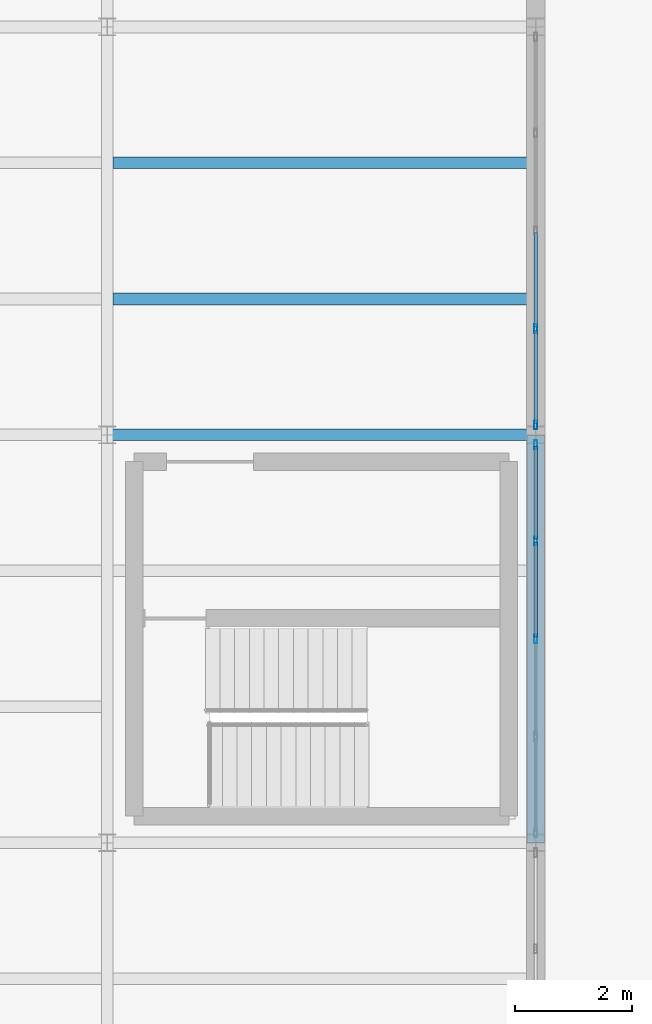
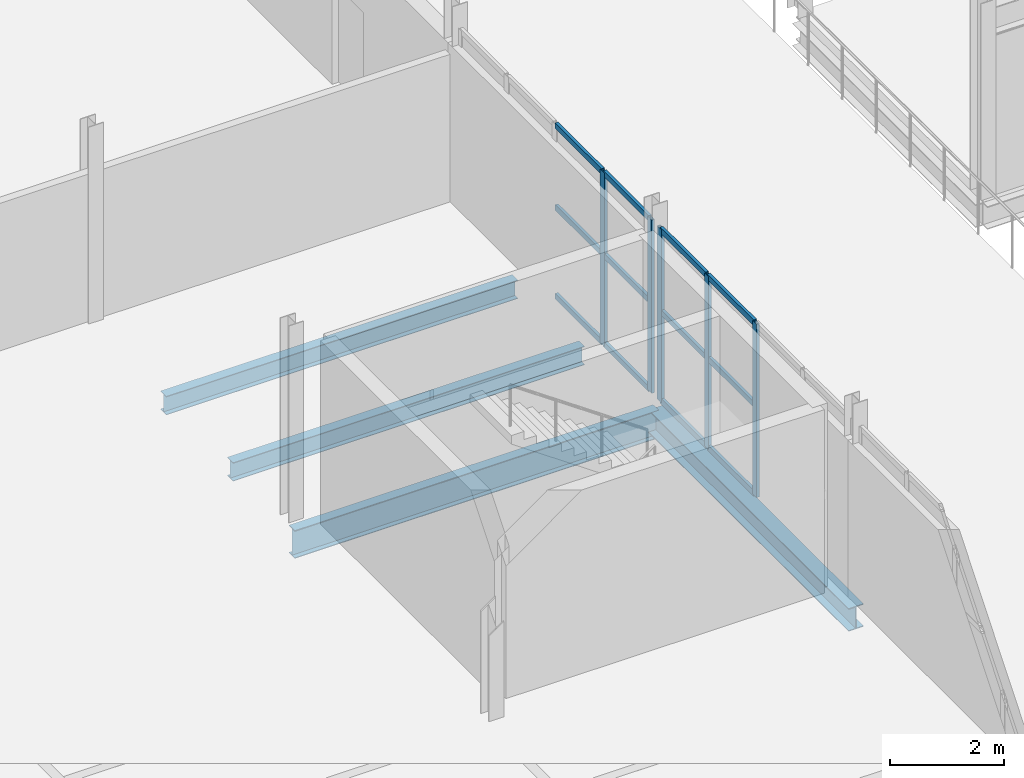
# One storey, part 17 of 39: 17 members, 4 beams, 2 elements without a shape of their own.
"""IFC4 building model written with IfcOpenShell, lengths in metres."""

from ifc_helpers import new_model, si_unit, direction, frame, origin, origin_2d, place, context, subcontext, project, spatial, hollow_rectangle, i_section, extrude, material, material_profile, profile_set, type_object, element, aggregate, save


model = new_model("IFC4")

# Units and contexts
model_context = context("Model", 3, precision=1e-05, world=origin(), true_north=direction((0.0, 1.0)))
body_context = subcontext(model_context, "Body", "Model", "MODEL_VIEW")
ifc_project = project(units=[si_unit("LENGTHUNIT", "METRE"), si_unit("AREAUNIT", "SQUARE_METRE"), si_unit("VOLUMEUNIT", "CUBIC_METRE"), si_unit("PLANEANGLEUNIT", "RADIAN"), si_unit("MASSUNIT", "GRAM", prefix="KILO")], contexts=[model_context])

# Site, building, storey
site_placement = place(None, origin())
site = spatial("IfcSite", under=ifc_project, at=site_placement, CompositionType="ELEMENT")
building_placement = place(site_placement, origin())
building = spatial("IfcBuilding", under=site, at=building_placement, Name="Kazenagashi Tramway Depot", CompositionType="ELEMENT")
storey_placement = place(building_placement, frame((0.0, 0.0, 11.1)))
storey = spatial("IfcBuildingStorey", under=building, at=storey_placement, Name="L03", CompositionType="ELEMENT", Elevation=11.1)

# Beams
ifc_material_1 = material(Name="Steel SN490B", Category="steel")
ifc_material_profile_1 = material_profile(ifc_material_1, i_section(OverallWidth=0.199, OverallDepth=0.596, WebThickness=0.01, FlangeThickness=0.015, at=origin_2d()), Name="H-596x199x10x15")
ifc_profile_set_1 = profile_set([ifc_material_profile_1], Name="Steel SN490B")
beam_type_1 = type_object("IfcBeamType", Name="G-09", PredefinedType="BEAM", material=ifc_profile_set_1)
beam_1_placement = place(storey_placement, frame((29.4, 14.0, -0.548), z_axis=(1.0, 0.0, 0.0), x_axis=(0.0, 1.0, 0.0)))
element("IfcBeam", 1, at=beam_1_placement, inside=storey, type_object=beam_type_1, Name="Beam G-09 BM-0232", PredefinedType="BEAM", context=body_context, shape_type="SweptSolid", body=[
    extrude(i_section(OverallWidth=0.199, OverallDepth=0.596, WebThickness=0.01, FlangeThickness=0.015, at=origin_2d()), origin(), (0.0, 0.0, 1.0), 7.35),
])
ifc_material_profile_2 = material_profile(ifc_material_1, i_section(OverallWidth=0.199, OverallDepth=0.396, WebThickness=0.007, FlangeThickness=0.011, at=origin_2d()), Name="H-396x199x7x11")
ifc_profile_set_2 = profile_set([ifc_material_profile_2], Name="Steel SN490B")
beam_type_2 = type_object("IfcBeamType", Name="J-05", PredefinedType="JOIST", material=ifc_profile_set_2)
for number, where, z_axis, x_axis, name in (
    (2, (29.499, 16.333, -0.448), (1.0, 0.0, 0.0), (0.0, 1.0, 0.0), "Beam J-05 BM-0379"),
    (3, (29.499, 18.667, -0.448), (1.0, 0.0, 0.0), (0.0, 1.0, 0.0), "Beam J-05 BM-0380"),
):
    element("IfcBeam", number, at=place(storey_placement, frame(where, z_axis=z_axis, x_axis=x_axis)), inside=storey, type_object=beam_type_2, Name=name, PredefinedType="JOIST", context=body_context, shape_type="SweptSolid", body=[
        extrude(i_section(OverallWidth=0.199, OverallDepth=0.396, WebThickness=0.007, FlangeThickness=0.011, at=origin_2d()), origin(), (0.0, 0.0, 1.0), 7.101),
    ])

# Curtain wall, members
ifc_material_2 = material(Name="Anodised Aluminium and Low-E Glazing", Category="aluminium")
curtain_wall_type = type_object("IfcCurtainWallType", Name="CW-26", PredefinedType="USERDEFINED", material=ifc_material_2)
curtain_wall_1_placement = place(storey_placement, origin())
curtain_wall_1 = element("IfcCurtainWall", 4, at=curtain_wall_1_placement, inside=storey, type_object=curtain_wall_type, Name="Industrial Glazed Screen CW-26 CW-0145", ObjectType="GLAZED SCREEN", PredefinedType="USERDEFINED")
ifc_material_3 = material(Name="Anodised Aluminium", Category="aluminium")
ifc_material_profile_3 = material_profile(ifc_material_3, hollow_rectangle(XDim=0.06, YDim=0.15, WallThickness=0.004, at=origin_2d()), Name="RHS-150x60x4")
ifc_profile_set_3 = profile_set([ifc_material_profile_3], Name="Anodised Aluminium")
member_type_1 = type_object("IfcMemberType", Name="ML-01", PredefinedType="MULLION", material=ifc_profile_set_3)
member_1_placement = place(storey_placement, frame((36.75, 10.5, 0.0), z_axis=(0.0, 0.0, 1.0), x_axis=(-1.0, 0.0, 0.0)))
member_1 = element("IfcMember", 5, at=member_1_placement, type_object=member_type_1, Name="CW-26 mullion 3", PredefinedType="MULLION", context=body_context, shape_type="SweptSolid", body=[
    extrude(hollow_rectangle(XDim=0.06, YDim=0.15, WallThickness=0.004, at=origin_2d()), origin(), (0.0, 0.0, 1.0), 3.7),
])
member_2_placement = place(storey_placement, frame((36.75, 12.18, 0.0), z_axis=(0.0, 0.0, 1.0), x_axis=(-1.0, 0.0, 0.0)))
member_2 = element("IfcMember", 6, at=member_2_placement, type_object=member_type_1, Name="CW-26 mullion 4", PredefinedType="MULLION", context=body_context, shape_type="SweptSolid", body=[
    extrude(hollow_rectangle(XDim=0.06, YDim=0.15, WallThickness=0.004, at=origin_2d()), origin(), (0.0, 0.0, 1.0), 3.7),
])
member_3_placement = place(storey_placement, frame((36.75, 13.83, 0.0), z_axis=(0.0, 0.0, 1.0), x_axis=(-1.0, 0.0, 0.0)))
member_3 = element("IfcMember", 7, at=member_3_placement, type_object=member_type_1, Name="CW-26 mullion 5", PredefinedType="MULLION", context=body_context, shape_type="SweptSolid", body=[
    extrude(hollow_rectangle(XDim=0.06, YDim=0.15, WallThickness=0.004, at=origin_2d()), origin(), (0.0, 0.0, 1.0), 3.7),
])

curtain_wall_2_placement = place(storey_placement, origin())
curtain_wall_2 = element("IfcCurtainWall", 8, at=curtain_wall_2_placement, inside=storey, type_object=curtain_wall_type, Name="Industrial Glazed Screen CW-26 CW-0146", ObjectType="GLAZED SCREEN", PredefinedType="USERDEFINED")
member_4_placement = place(storey_placement, frame((36.75, 14.17, 0.0), z_axis=(0.0, 0.0, 1.0), x_axis=(-1.0, 0.0, 0.0)))
member_4 = element("IfcMember", 9, at=member_4_placement, type_object=member_type_1, Name="CW-26 mullion 1", PredefinedType="MULLION", context=body_context, shape_type="SweptSolid", body=[
    extrude(hollow_rectangle(XDim=0.06, YDim=0.15, WallThickness=0.004, at=origin_2d()), origin(), (0.0, 0.0, 1.0), 3.7),
])
member_5_placement = place(storey_placement, frame((36.75, 15.82, 0.0), z_axis=(0.0, 0.0, 1.0), x_axis=(-1.0, 0.0, 0.0)))
member_5 = element("IfcMember", 10, at=member_5_placement, type_object=member_type_1, Name="CW-26 mullion 2", PredefinedType="MULLION", context=body_context, shape_type="SweptSolid", body=[
    extrude(hollow_rectangle(XDim=0.06, YDim=0.15, WallThickness=0.004, at=origin_2d()), origin(), (0.0, 0.0, 1.0), 3.7),
])

# Beam
ifc_material_profile_4 = material_profile(ifc_material_1, i_section(OverallWidth=0.3, OverallDepth=0.488, WebThickness=0.011, FlangeThickness=0.018, at=origin_2d()), Name="H-488x300x11x18")
ifc_profile_set_4 = profile_set([ifc_material_profile_4], Name="Steel SN490B")
beam_type_3 = type_object("IfcBeamType", Name="SP-02", PredefinedType="SPANDREL", material=ifc_profile_set_4)
beam_2_placement = place(storey_placement, frame((36.75, 7.0, -0.494), z_axis=(0.0, 1.0, 0.0), x_axis=(-1.0, 0.0, 0.0)))
element("IfcBeam", 11, at=beam_2_placement, inside=storey, type_object=beam_type_3, Name="Beam SP-02 BM-0400", PredefinedType="SPANDREL", context=body_context, shape_type="SweptSolid", body=[
    extrude(i_section(OverallWidth=0.3, OverallDepth=0.488, WebThickness=0.011, FlangeThickness=0.018, at=origin_2d()), origin(), (0.0, 0.0, 1.0), 7.0),
])

# Member
ifc_material_profile_5 = material_profile(ifc_material_3, hollow_rectangle(XDim=0.06, YDim=0.12, WallThickness=0.004, at=origin_2d()), Name="RHS-120x60x4")
ifc_profile_set_5 = profile_set([ifc_material_profile_5], Name="Anodised Aluminium")
member_type_2 = type_object("IfcMemberType", Name="TR-01", PredefinedType="USERDEFINED", material=ifc_profile_set_5)
member_6_placement = place(storey_placement, frame((36.75, 10.53, 0.03), z_axis=(0.0, 1.0, 0.0), x_axis=(-1.0, 0.0, 0.0)))
member_6 = element("IfcMember", 12, at=member_6_placement, type_object=member_type_2, Name="CW-26 transom 3.1", ObjectType="TRANSOM", PredefinedType="USERDEFINED", context=body_context, shape_type="SweptSolid", body=[
    extrude(hollow_rectangle(XDim=0.06, YDim=0.12, WallThickness=0.004, at=origin_2d()), origin(), (0.0, 0.0, 1.0), 1.62),
])

member_7_placement = place(storey_placement, frame((36.75, 10.53, 1.924), z_axis=(0.0, 1.0, 0.0), x_axis=(-1.0, 0.0, 0.0)))
member_7 = element("IfcMember", 13, at=member_7_placement, type_object=member_type_2, Name="CW-26 transom 3.2", ObjectType="TRANSOM", PredefinedType="USERDEFINED", context=body_context, shape_type="SweptSolid", body=[
    extrude(hollow_rectangle(XDim=0.06, YDim=0.12, WallThickness=0.004, at=origin_2d()), origin(), (0.0, 0.0, 1.0), 1.62),
])

member_8_placement = place(storey_placement, frame((36.75, 10.53, 3.67), z_axis=(0.0, 1.0, 0.0), x_axis=(-1.0, 0.0, 0.0)))
member_8 = element("IfcMember", 14, at=member_8_placement, type_object=member_type_2, Name="CW-26 transom 3.3", ObjectType="TRANSOM", PredefinedType="USERDEFINED", context=body_context, shape_type="SweptSolid", body=[
    extrude(hollow_rectangle(XDim=0.06, YDim=0.12, WallThickness=0.004, at=origin_2d()), origin(), (0.0, 0.0, 1.0), 1.62),
])

member_9_placement = place(storey_placement, frame((36.75, 12.21, 0.03), z_axis=(0.0, 1.0, 0.0), x_axis=(-1.0, 0.0, 0.0)))
member_9 = element("IfcMember", 15, at=member_9_placement, type_object=member_type_2, Name="CW-26 transom 4.1", ObjectType="TRANSOM", PredefinedType="USERDEFINED", context=body_context, shape_type="SweptSolid", body=[
    extrude(hollow_rectangle(XDim=0.06, YDim=0.12, WallThickness=0.004, at=origin_2d()), origin(), (0.0, 0.0, 1.0), 1.59),
])

member_10_placement = place(storey_placement, frame((36.75, 12.21, 1.924), z_axis=(0.0, 1.0, 0.0), x_axis=(-1.0, 0.0, 0.0)))
member_10 = element("IfcMember", 16, at=member_10_placement, type_object=member_type_2, Name="CW-26 transom 4.2", ObjectType="TRANSOM", PredefinedType="USERDEFINED", context=body_context, shape_type="SweptSolid", body=[
    extrude(hollow_rectangle(XDim=0.06, YDim=0.12, WallThickness=0.004, at=origin_2d()), origin(), (0.0, 0.0, 1.0), 1.59),
])

member_11_placement = place(storey_placement, frame((36.75, 12.21, 3.67), z_axis=(0.0, 1.0, 0.0), x_axis=(-1.0, 0.0, 0.0)))
member_11 = element("IfcMember", 17, at=member_11_placement, type_object=member_type_2, Name="CW-26 transom 4.3", ObjectType="TRANSOM", PredefinedType="USERDEFINED", context=body_context, shape_type="SweptSolid", body=[
    extrude(hollow_rectangle(XDim=0.06, YDim=0.12, WallThickness=0.004, at=origin_2d()), origin(), (0.0, 0.0, 1.0), 1.59),
])

aggregate(curtain_wall_1, [member_1, member_2, member_3, member_6, member_7, member_8, member_9, member_10, member_11])

member_12_placement = place(storey_placement, frame((36.75, 14.2, 0.03), z_axis=(0.0, 1.0, 0.0), x_axis=(-1.0, 0.0, 0.0)))
member_12 = element("IfcMember", 18, at=member_12_placement, type_object=member_type_2, Name="CW-26 transom 1.1", ObjectType="TRANSOM", PredefinedType="USERDEFINED", context=body_context, shape_type="SweptSolid", body=[
    extrude(hollow_rectangle(XDim=0.06, YDim=0.12, WallThickness=0.004, at=origin_2d()), origin(), (0.0, 0.0, 1.0), 1.59),
])

member_13_placement = place(storey_placement, frame((36.75, 14.2, 1.924), z_axis=(0.0, 1.0, 0.0), x_axis=(-1.0, 0.0, 0.0)))
member_13 = element("IfcMember", 19, at=member_13_placement, type_object=member_type_2, Name="CW-26 transom 1.2", ObjectType="TRANSOM", PredefinedType="USERDEFINED", context=body_context, shape_type="SweptSolid", body=[
    extrude(hollow_rectangle(XDim=0.06, YDim=0.12, WallThickness=0.004, at=origin_2d()), origin(), (0.0, 0.0, 1.0), 1.59),
])

member_14_placement = place(storey_placement, frame((36.75, 14.2, 3.67), z_axis=(0.0, 1.0, 0.0), x_axis=(-1.0, 0.0, 0.0)))
member_14 = element("IfcMember", 20, at=member_14_placement, type_object=member_type_2, Name="CW-26 transom 1.3", ObjectType="TRANSOM", PredefinedType="USERDEFINED", context=body_context, shape_type="SweptSolid", body=[
    extrude(hollow_rectangle(XDim=0.06, YDim=0.12, WallThickness=0.004, at=origin_2d()), origin(), (0.0, 0.0, 1.0), 1.59),
])

member_15_placement = place(storey_placement, frame((36.75, 15.85, 0.03), z_axis=(0.0, 1.0, 0.0), x_axis=(-1.0, 0.0, 0.0)))
member_15 = element("IfcMember", 21, at=member_15_placement, type_object=member_type_2, Name="CW-26 transom 2.1", ObjectType="TRANSOM", PredefinedType="USERDEFINED", context=body_context, shape_type="SweptSolid", body=[
    extrude(hollow_rectangle(XDim=0.06, YDim=0.12, WallThickness=0.004, at=origin_2d()), origin(), (0.0, 0.0, 1.0), 1.62),
])

member_16_placement = place(storey_placement, frame((36.75, 15.85, 1.924), z_axis=(0.0, 1.0, 0.0), x_axis=(-1.0, 0.0, 0.0)))
member_16 = element("IfcMember", 22, at=member_16_placement, type_object=member_type_2, Name="CW-26 transom 2.2", ObjectType="TRANSOM", PredefinedType="USERDEFINED", context=body_context, shape_type="SweptSolid", body=[
    extrude(hollow_rectangle(XDim=0.06, YDim=0.12, WallThickness=0.004, at=origin_2d()), origin(), (0.0, 0.0, 1.0), 1.62),
])

member_17_placement = place(storey_placement, frame((36.75, 15.85, 3.67), z_axis=(0.0, 1.0, 0.0), x_axis=(-1.0, 0.0, 0.0)))
member_17 = element("IfcMember", 23, at=member_17_placement, type_object=member_type_2, Name="CW-26 transom 2.3", ObjectType="TRANSOM", PredefinedType="USERDEFINED", context=body_context, shape_type="SweptSolid", body=[
    extrude(hollow_rectangle(XDim=0.06, YDim=0.12, WallThickness=0.004, at=origin_2d()), origin(), (0.0, 0.0, 1.0), 1.62),
])

aggregate(curtain_wall_2, [member_4, member_5, member_12, member_13, member_14, member_15, member_16, member_17])

save(model, "model.ifc")
